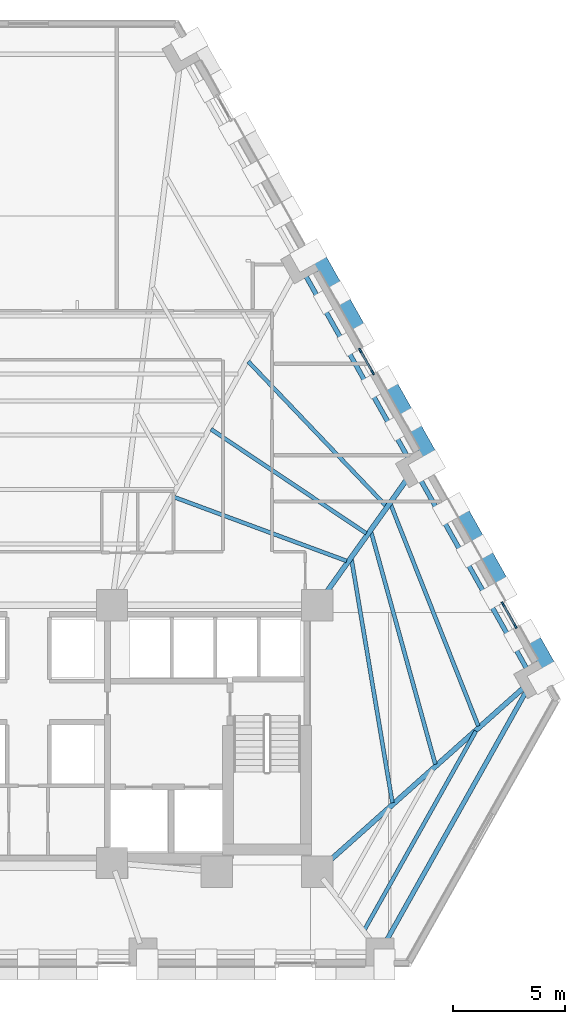
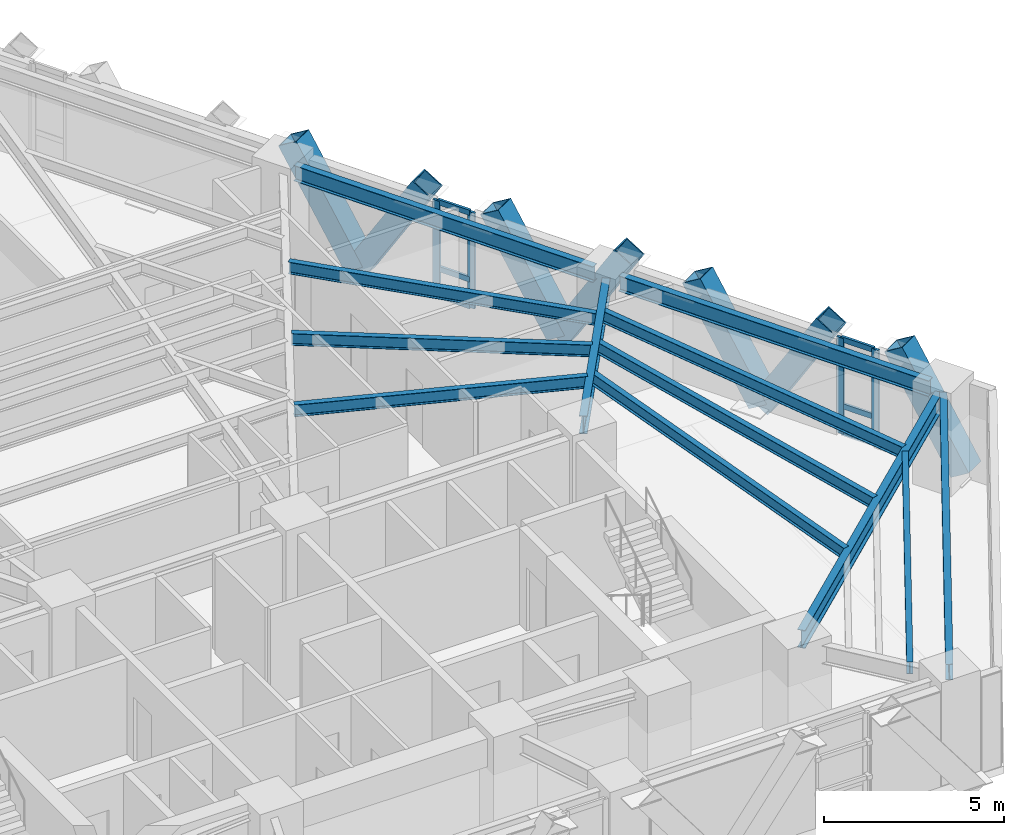
# One storey, part 4 of 13: 17 members, 12 beams, 2 elements without a shape of their own.
"""IFC4 building model written with IfcOpenShell, lengths in metres."""

from ifc_helpers import new_model, si_unit, direction, frame, origin, origin_2d, place, context, subcontext, project, spatial, rectangle, hollow_rectangle, i_section, extrude, material, material_profile, profile_set, type_object, element, aggregate, save


model = new_model("IFC4")

# Units and contexts
model_context = context("Model", 3, precision=1e-05, world=origin(), true_north=direction((0.0, 1.0)))
body_context = subcontext(model_context, "Body", "Model", "MODEL_VIEW")
ifc_project = project(units=[si_unit("LENGTHUNIT", "METRE"), si_unit("AREAUNIT", "SQUARE_METRE"), si_unit("VOLUMEUNIT", "CUBIC_METRE"), si_unit("PLANEANGLEUNIT", "RADIAN"), si_unit("MASSUNIT", "GRAM", prefix="KILO")], contexts=[model_context])

# Site, building, storey
site_placement = place(None, origin())
site = spatial("IfcSite", under=ifc_project, at=site_placement, CompositionType="ELEMENT")
building_placement = place(site_placement, origin())
building = spatial("IfcBuilding", under=site, at=building_placement, Name="Quenlor Broadcast Tower", CompositionType="ELEMENT")
storey_placement = place(building_placement, frame((0.0, 0.0, 38.10009765625)))
storey = spatial("IfcBuildingStorey", under=building, at=storey_placement, Name="L09", CompositionType="ELEMENT", Elevation=38.10009765625)

# Curtain wall, members
ifc_material_1 = material(Name="Architectural Terracotta and Low-E Glazing", Category="masonry")
curtain_wall_type = type_object("IfcCurtainWallType", Name="Unitised Terracotta Curtain Wall System Z1", PredefinedType="NOTDEFINED", material=ifc_material_1)
curtain_wall_1_placement = place(storey_placement, origin())
curtain_wall_1 = element("IfcCurtainWall", 1, at=curtain_wall_1_placement, inside=storey, type_object=curtain_wall_type, Name="L09 Curtain Wall CW1 (L09-NEC-G1)", PredefinedType="NOTDEFINED")
ifc_material_2 = material(Name="Aluminium 6063-T6", Category="aluminium")
ifc_material_profile_1 = material_profile(ifc_material_2, rectangle(XDim=0.080078125, YDim=0.219970703125, at=origin_2d()))
ifc_profile_set_1 = profile_set([ifc_material_profile_1], Name="Aluminium 6063-T6 MULL80x220")
member_type_1 = type_object("IfcMemberType", Name="CW1 Aluminium Mullion MULL_CW1", PredefinedType="MULLION", material=ifc_profile_set_1)
member_1_placement = place(storey_placement, frame((21.277099609375, -4.75244140625, 0.0), z_axis=(0.0, 0.0, 1.0), x_axis=(0.871566703483, 0.490276943553, 0.0)))
member_1 = element("IfcMember", 2, at=member_1_placement, type_object=member_type_1, Name="CW1 mullion 1", PredefinedType="MULLION", context=body_context, shape_type="SweptSolid", body=[
    extrude(rectangle(XDim=0.080078125, YDim=0.219970703125, at=origin_2d()), origin(), (0.0, 0.0, 1.0), 3.25),
])
member_2_placement = place(storey_placement, frame((21.830810546875, -5.73681640625, 0.0), z_axis=(0.0, 0.0, 1.0), x_axis=(0.871566703483, 0.490276943553, 0.0)))
member_2 = element("IfcMember", 3, at=member_2_placement, type_object=member_type_1, Name="CW1 mullion 2", PredefinedType="MULLION", context=body_context, shape_type="SweptSolid", body=[
    extrude(rectangle(XDim=0.080078125, YDim=0.219970703125, at=origin_2d()), origin(), (0.0, 0.0, 1.0), 3.25),
])

curtain_wall_2_placement = place(storey_placement, origin())
curtain_wall_2 = element("IfcCurtainWall", 4, at=curtain_wall_2_placement, inside=storey, type_object=curtain_wall_type, Name="L09 Curtain Wall CW1 (L09-NE-G1)", PredefinedType="NOTDEFINED")
member_3_placement = place(storey_placement, frame((14.8837890625, 6.61376953125, 0.0), z_axis=(0.0, 0.0, 1.0), x_axis=(0.871566703483, 0.490276943553, 0.0)))
member_3 = element("IfcMember", 5, at=member_3_placement, type_object=member_type_1, Name="CW1 mullion 1", PredefinedType="MULLION", context=body_context, shape_type="SweptSolid", body=[
    extrude(rectangle(XDim=0.080078125, YDim=0.219970703125, at=origin_2d()), origin(), (0.0, 0.0, 1.0), 3.25),
])
member_4_placement = place(storey_placement, frame((15.4375, 5.62939453125, 0.0), z_axis=(0.0, 0.0, 1.0), x_axis=(0.871566703483, 0.490276943553, 0.0)))
member_4 = element("IfcMember", 6, at=member_4_placement, type_object=member_type_1, Name="CW1 mullion 2", PredefinedType="MULLION", context=body_context, shape_type="SweptSolid", body=[
    extrude(rectangle(XDim=0.080078125, YDim=0.219970703125, at=origin_2d()), origin(), (0.0, 0.0, 1.0), 3.25),
])

# Member
ifc_material_3 = material(Name="Aluminium 6063-T6", Category="aluminium")
ifc_material_profile_2 = material_profile(ifc_material_3, rectangle(XDim=0.080078125, YDim=0.179931640625, at=origin_2d()))
ifc_profile_set_2 = profile_set([ifc_material_profile_2], Name="Aluminium 6063-T6 TRAN80x180")
member_type_2 = type_object("IfcMemberType", Name="CW1 Aluminium Transom TRAN_CW1", PredefinedType="USERDEFINED", material=ifc_profile_set_2)
member_5_placement = place(storey_placement, frame((21.296875, -4.787353515625, 0.039794921875), z_axis=(0.490239146026, -0.87158796441, 0.0), x_axis=(0.87158796441, 0.490239146026, 0.0)))
member_5 = element("IfcMember", 7, at=member_5_placement, type_object=member_type_2, Name="CW1 transom 1.1", ObjectType="TRANSOM", PredefinedType="USERDEFINED", context=body_context, shape_type="SweptSolid", body=[
    extrude(rectangle(XDim=0.080078125, YDim=0.179931640625, at=origin_2d()), origin(), (0.0, 0.0, 1.0), 1.04931640625),
])

member_6_placement = place(storey_placement, frame((21.296875, -4.787353515625, 0.949951171875), z_axis=(0.490239146026, -0.87158796441, 0.0), x_axis=(0.87158796441, 0.490239146026, 0.0)))
member_6 = element("IfcMember", 8, at=member_6_placement, type_object=member_type_2, Name="CW1 transom 1.2", ObjectType="TRANSOM", PredefinedType="USERDEFINED", context=body_context, shape_type="SweptSolid", body=[
    extrude(rectangle(XDim=0.080078125, YDim=0.179931640625, at=origin_2d()), origin(), (0.0, 0.0, 1.0), 1.04931640625),
])

member_7_placement = place(storey_placement, frame((21.296875, -4.787353515625, 3.2099609375), z_axis=(0.490239146026, -0.87158796441, 0.0), x_axis=(0.87158796441, 0.490239146026, 0.0)))
member_7 = element("IfcMember", 9, at=member_7_placement, type_object=member_type_2, Name="CW1 transom 1.3", ObjectType="TRANSOM", PredefinedType="USERDEFINED", context=body_context, shape_type="SweptSolid", body=[
    extrude(rectangle(XDim=0.080078125, YDim=0.179931640625, at=origin_2d()), origin(), (0.0, 0.0, 1.0), 1.04931640625),
])

aggregate(curtain_wall_1, [member_1, member_2, member_5, member_6, member_7])

member_8_placement = place(storey_placement, frame((14.9033203125, 6.578857421875, 0.039794921875), z_axis=(0.490239146026, -0.87158796441, 0.0), x_axis=(0.87158796441, 0.490239146026, 0.0)))
member_8 = element("IfcMember", 10, at=member_8_placement, type_object=member_type_2, Name="CW1 transom 1.1", ObjectType="TRANSOM", PredefinedType="USERDEFINED", context=body_context, shape_type="SweptSolid", body=[
    extrude(rectangle(XDim=0.080078125, YDim=0.179931640625, at=origin_2d()), origin(), (0.0, 0.0, 1.0), 1.04931640625),
])

member_9_placement = place(storey_placement, frame((14.9033203125, 6.578857421875, 0.949951171875), z_axis=(0.490239146026, -0.87158796441, 0.0), x_axis=(0.87158796441, 0.490239146026, 0.0)))
member_9 = element("IfcMember", 11, at=member_9_placement, type_object=member_type_2, Name="CW1 transom 1.2", ObjectType="TRANSOM", PredefinedType="USERDEFINED", context=body_context, shape_type="SweptSolid", body=[
    extrude(rectangle(XDim=0.080078125, YDim=0.179931640625, at=origin_2d()), origin(), (0.0, 0.0, 1.0), 1.04931640625),
])

member_10_placement = place(storey_placement, frame((14.9033203125, 6.578857421875, 3.2099609375), z_axis=(0.490239146026, -0.87158796441, 0.0), x_axis=(0.87158796441, 0.490239146026, 0.0)))
member_10 = element("IfcMember", 12, at=member_10_placement, type_object=member_type_2, Name="CW1 transom 1.3", ObjectType="TRANSOM", PredefinedType="USERDEFINED", context=body_context, shape_type="SweptSolid", body=[
    extrude(rectangle(XDim=0.080078125, YDim=0.179931640625, at=origin_2d()), origin(), (0.0, 0.0, 1.0), 1.04931640625),
])

aggregate(curtain_wall_2, [member_3, member_4, member_8, member_9, member_10])

# Members
ifc_material_4 = material(Name="Steel S355", Category="steel")
ifc_material_profile_3 = material_profile(ifc_material_4, hollow_rectangle(XDim=0.679931640625, YDim=0.679931640625, WallThickness=0.034912109375, at=origin_2d()))
ifc_profile_set_3 = profile_set([ifc_material_profile_3], Name="Steel S355 RHS680x680x35")
member_type_3 = type_object("IfcMemberType", Name="Perimeter Diagonal Lattice Brace Z1 Steel S355 RHS680x35", PredefinedType="BRACE", material=ifc_profile_set_3)
member_11_placement = place(storey_placement, frame((13.89990234375, 9.168212890625, -0.1201171875), z_axis=(-0.256375341489, 0.45579159737, 0.852364771705), x_axis=(-0.871581609758, -0.490250443683, 0.0)))
element("IfcMember", 13, at=member_11_placement, inside=storey, type_object=member_type_3, Name="L09 Perimeter Diamond Lattice NE-C2B", PredefinedType="BRACE", context=body_context, shape_type="SweptSolid", body=[
    extrude(hollow_rectangle(XDim=0.679931640625, YDim=0.679931640625, WallThickness=0.034912109375, at=origin_2d()), origin(), (0.0, 0.0, 1.0), 4.106201171875),
])
member_12_placement = place(storey_placement, frame((13.912841796875, 9.1455078125, -0.1201171875), z_axis=(0.256368393635, -0.455838699906, 0.852341672343), x_axis=(0.871608931644, 0.490201866865, 0.0)))
element("IfcMember", 14, at=member_12_placement, inside=storey, type_object=member_type_3, Name="L09 Perimeter Diamond Lattice NE-C3S", PredefinedType="BRACE", context=body_context, shape_type="SweptSolid", body=[
    extrude(hollow_rectangle(XDim=0.679931640625, YDim=0.679931640625, WallThickness=0.034912109375, at=origin_2d()), origin(), (0.0, 0.0, 1.0), 4.1064453125),
])
for number, where, z_axis, x_axis, name in (
    (15, (17.0966796875, 3.485107421875, -0.1201171875), (-0.256375341489, 0.45579159737, 0.852364771705), (-0.871581609758, -0.490250443683, 0.0), "L09 Perimeter Diamond Lattice NE-C3B"),
    (16, (17.109619140625, 3.46240234375, -0.1201171875), (0.256375341489, -0.45579159737, 0.852364771705), (0.871581609758, 0.490250443683, 0.0), "L09 Perimeter Diamond Lattice NE-C4S"),
    (17, (20.29345703125, -2.197998046875, -0.1201171875), (-0.256375341489, 0.45579159737, 0.852364771705), (-0.871581609758, -0.490250443683, 0.0), "L09 Perimeter Diamond Lattice NE-C4B"),
    (18, (20.306396484375, -2.220947265625, -0.1201171875), (0.256375341489, -0.45579159737, 0.852364771705), (0.871581609758, 0.490250443683, 0.0), "L09 Perimeter Diamond Lattice NE-C5S"),
):
    element("IfcMember", number, at=place(storey_placement, frame(where, z_axis=z_axis, x_axis=x_axis)), inside=storey, type_object=member_type_3, Name=name, PredefinedType="BRACE", context=body_context, shape_type="SweptSolid", body=[
        extrude(hollow_rectangle(XDim=0.679931640625, YDim=0.679931640625, WallThickness=0.034912109375, at=origin_2d()), origin(), (0.0, 0.0, 1.0), 4.106201171875),
    ])
member_13_placement = place(storey_placement, frame((23.490234375, -7.88134765625, -0.1201171875), z_axis=(-0.256368393635, 0.455838699906, 0.852341672343), x_axis=(-0.871608931644, -0.490201866865, 0.0)))
element("IfcMember", 19, at=member_13_placement, inside=storey, type_object=member_type_3, Name="L09 Perimeter Diamond Lattice NE-C5B", PredefinedType="BRACE", context=body_context, shape_type="SweptSolid", body=[
    extrude(hollow_rectangle(XDim=0.679931640625, YDim=0.679931640625, WallThickness=0.034912109375, at=origin_2d()), origin(), (0.0, 0.0, 1.0), 4.1064453125),
])

# Beams
ifc_material_5 = material(Name="Steel S355", Category="steel")
ifc_material_profile_4 = material_profile(ifc_material_5, i_section(OverallWidth=0.208984375, OverallDepth=0.532958984375, WebThickness=0.01025390625, FlangeThickness=0.015625, FilletRadius=0.013916015625, at=origin_2d()))
ifc_profile_set_4 = profile_set([ifc_material_profile_4], Name="Steel S355 530UB92.4")
beam_type_1 = type_object("IfcBeamType", Name="Perimeter Spandrel Beam Z1 Steel S355 530UB92.4", PredefinedType="SPANDREL", material=ifc_profile_set_4)
beam_1_placement = place(storey_placement, frame((15.965576171875, -19.992431640625, 2.9833984375), z_axis=(0.489090917871, 0.87223280955, 0.0), x_axis=(-0.87223280955, 0.489090917871, 0.0)))
element("IfcBeam", 20, at=beam_1_placement, inside=storey, type_object=beam_type_1, Name="L09 Spandrel Beam S4-NE1", PredefinedType="SPANDREL", context=body_context, shape_type="SweptSolid", body=[
    extrude(i_section(OverallWidth=0.208984375, OverallDepth=0.532958984375, WebThickness=0.01025390625, FlangeThickness=0.015625, FilletRadius=0.013916015625, at=origin_2d()), origin(), (0.0, 0.0, 1.0), 13.187744140625),
])
beam_2_placement = place(storey_placement, frame((22.4150390625, -7.77490234375, 2.9833984375), z_axis=(-0.490257767622, 0.871577490121, 0.0), x_axis=(-0.871577490121, -0.490257767622, 0.0)))
element("IfcBeam", 21, at=beam_2_placement, inside=storey, type_object=beam_type_1, Name="L09 Spandrel Beam NE1-NE2", PredefinedType="SPANDREL", context=body_context, shape_type="SweptSolid", body=[
    extrude(i_section(OverallWidth=0.208984375, OverallDepth=0.532958984375, WebThickness=0.01025390625, FlangeThickness=0.015625, FilletRadius=0.013916015625, at=origin_2d()), origin(), (0.0, 0.0, 1.0), 10.015380859375),
])
beam_3_placement = place(storey_placement, frame((17.102783203125, 1.6689453125, 2.9833984375), z_axis=(-0.490257642051, 0.871577560755, 0.0), x_axis=(-0.871577560755, -0.490257642051, 0.0)))
element("IfcBeam", 22, at=beam_3_placement, inside=storey, type_object=beam_type_1, Name="L09 Spandrel Beam NE2-NE3", PredefinedType="SPANDREL", context=body_context, shape_type="SweptSolid", body=[
    extrude(i_section(OverallWidth=0.208984375, OverallDepth=0.532958984375, WebThickness=0.01025390625, FlangeThickness=0.015625, FilletRadius=0.013916015625, at=origin_2d()), origin(), (0.0, 0.0, 1.0), 9.665771484375),
])
ifc_material_6 = material(Name="Steel S355", Category="steel")
ifc_material_profile_5 = material_profile(ifc_material_6, i_section(OverallWidth=0.177978515625, OverallDepth=0.406494140625, WebThickness=0.0078125, FlangeThickness=0.0126953125, FilletRadius=0.011474609375, at=origin_2d()))
ifc_profile_set_5 = profile_set([ifc_material_profile_5], Name="Steel S355 410UB59.7")
beam_type_2 = type_object("IfcBeamType", Name="Tower Composite Joist Z1 Steel S355 410UB59.7", PredefinedType="JOIST", material=ifc_profile_set_5)
beam_4_placement = place(storey_placement, frame((14.268310546875, -2.81640625, 3.046630859375), z_axis=(-0.937824633945, 0.347109429383, 0.0), x_axis=(-0.347109429383, -0.937824633945, 0.0)))
element("IfcBeam", 23, at=beam_4_placement, inside=storey, type_object=beam_type_2, Name="L09 Secondary Composite Joist 10", PredefinedType="JOIST", context=body_context, shape_type="SweptSolid", body=[
    extrude(i_section(OverallWidth=0.177978515625, OverallDepth=0.406494140625, WebThickness=0.0078125, FlangeThickness=0.0126953125, FilletRadius=0.011474609375, at=origin_2d()), origin(), (0.0, 0.0, 1.0), 8.26513671875),
])
beam_5_placement = place(storey_placement, frame((15.147705078125, -1.577392578125, 3.046630859375), z_axis=(-0.830625844363, 0.556830949819, 0.0), x_axis=(-0.556830949819, -0.830625844363, 0.0)))
element("IfcBeam", 24, at=beam_5_placement, inside=storey, type_object=beam_type_2, Name="L09 Secondary Composite Joist 11", PredefinedType="JOIST", context=body_context, shape_type="SweptSolid", body=[
    extrude(i_section(OverallWidth=0.177978515625, OverallDepth=0.406494140625, WebThickness=0.0078125, FlangeThickness=0.0126953125, FilletRadius=0.011474609375, at=origin_2d()), origin(), (0.0, 0.0, 1.0), 8.374755859375),
])
beam_6_placement = place(storey_placement, frame((16.029541015625, -0.341796875, 3.046630859375), z_axis=(-0.690241086162, 0.723579465556, 0.0), x_axis=(-0.723579465556, -0.690241086162, 0.0)))
element("IfcBeam", 25, at=beam_6_placement, inside=storey, type_object=beam_type_2, Name="L09 Secondary Composite Joist 12", PredefinedType="JOIST", context=body_context, shape_type="SweptSolid", body=[
    extrude(i_section(OverallWidth=0.177978515625, OverallDepth=0.406494140625, WebThickness=0.0078125, FlangeThickness=0.0126953125, FilletRadius=0.011474609375, at=origin_2d()), origin(), (0.0, 0.0, 1.0), 8.93408203125),
])
beam_7_placement = place(storey_placement, frame((16.31982421875, -13.65478515625, 3.046630859375), z_axis=(-0.16559360599, 0.986194077074, 0.0), x_axis=(-0.986194077074, -0.16559360599, 0.0)))
element("IfcBeam", 26, at=beam_7_placement, inside=storey, type_object=beam_type_2, Name="L09 Secondary Composite Joist 16", PredefinedType="JOIST", context=body_context, shape_type="SweptSolid", body=[
    extrude(i_section(OverallWidth=0.177978515625, OverallDepth=0.406494140625, WebThickness=0.0078125, FlangeThickness=0.0126953125, FilletRadius=0.011474609375, at=origin_2d()), origin(), (0.0, 0.0, 1.0), 11.06787109375),
])
beam_8_placement = place(storey_placement, frame((18.2451171875, -11.93310546875, 3.046630859375), z_axis=(-0.266390054368, 0.963865311615, 0.0), x_axis=(-0.963865311615, -0.266390054368, 0.0)))
element("IfcBeam", 27, at=beam_8_placement, inside=storey, type_object=beam_type_2, Name="L09 Secondary Composite Joist 17", PredefinedType="JOIST", context=body_context, shape_type="SweptSolid", body=[
    extrude(i_section(OverallWidth=0.177978515625, OverallDepth=0.406494140625, WebThickness=0.0078125, FlangeThickness=0.0126953125, FilletRadius=0.011474609375, at=origin_2d()), origin(), (0.0, 0.0, 1.0), 10.80810546875),
])
beam_9_placement = place(storey_placement, frame((20.170166015625, -10.212158203125, 3.046630859375), z_axis=(-0.367884833597, 0.929871361646, 0.0), x_axis=(-0.929871361646, -0.367884833597, 0.0)))
element("IfcBeam", 28, at=beam_9_placement, inside=storey, type_object=beam_type_2, Name="L09 Secondary Composite Joist 18", PredefinedType="JOIST", context=body_context, shape_type="SweptSolid", body=[
    extrude(i_section(OverallWidth=0.177978515625, OverallDepth=0.406494140625, WebThickness=0.0078125, FlangeThickness=0.0126953125, FilletRadius=0.011474609375, at=origin_2d()), origin(), (0.0, 0.0, 1.0), 10.669921875),
])
beam_10_placement = place(storey_placement, frame((15.072265625, -19.34423828125, 3.046630859375), z_axis=(0.489081877778, 0.872237878579, 0.0), x_axis=(-0.872237878579, 0.489081877778, 0.0)))
element("IfcBeam", 29, at=beam_10_placement, inside=storey, type_object=beam_type_2, Name="L09 Secondary Composite Joist 24", PredefinedType="JOIST", context=body_context, shape_type="SweptSolid", body=[
    extrude(i_section(OverallWidth=0.177978515625, OverallDepth=0.406494140625, WebThickness=0.0078125, FlangeThickness=0.0126953125, FilletRadius=0.011474609375, at=origin_2d()), origin(), (0.0, 0.0, 1.0), 10.205810546875),
])
ifc_material_7 = material(Name="Steel S355", Category="steel")
ifc_material_profile_6 = material_profile(ifc_material_7, i_section(OverallWidth=0.22900390625, OverallDepth=0.611572265625, WebThickness=0.011962890625, FlangeThickness=0.01953125, FilletRadius=0.013916015625, at=origin_2d()))
ifc_profile_set_6 = profile_set([ifc_material_profile_6], Name="Steel S355 610UB125")
beam_type_3 = type_object("IfcBeamType", Name="Tower Primary Floor Beam Z1 Steel S355 610UB125", PredefinedType="BEAM", material=ifc_profile_set_6)
beam_11_placement = place(storey_placement, frame((22.31005859375, -8.40478515625, 2.944091796875), z_axis=(-0.746413754585, -0.665482161268, 0.0), x_axis=(0.665482161268, -0.746413754585, 0.0)))
element("IfcBeam", 30, at=beam_11_placement, inside=storey, type_object=beam_type_3, Name="L09 Primary Radial Beam NE1", PredefinedType="BEAM", context=body_context, shape_type="SweptSolid", body=[
    extrude(i_section(OverallWidth=0.22900390625, OverallDepth=0.611572265625, WebThickness=0.011962890625, FlangeThickness=0.01953125, FilletRadius=0.013916015625, at=origin_2d()), origin(), (0.0, 0.0, 1.0), 12.159912109375),
])
beam_12_placement = place(storey_placement, frame((17.06591796875, 0.977783203125, 2.944091796875), z_axis=(-0.580212680853, -0.814465005373, 0.0), x_axis=(0.814465005373, -0.580212680853, 0.0)))
element("IfcBeam", 31, at=beam_12_placement, inside=storey, type_object=beam_type_3, Name="L09 Primary Radial Beam NE2", PredefinedType="BEAM", context=body_context, shape_type="SweptSolid", body=[
    extrude(i_section(OverallWidth=0.22900390625, OverallDepth=0.611572265625, WebThickness=0.011962890625, FlangeThickness=0.01953125, FilletRadius=0.013916015625, at=origin_2d()), origin(), (0.0, 0.0, 1.0), 6.7138671875),
])

save(model, "model.ifc")
